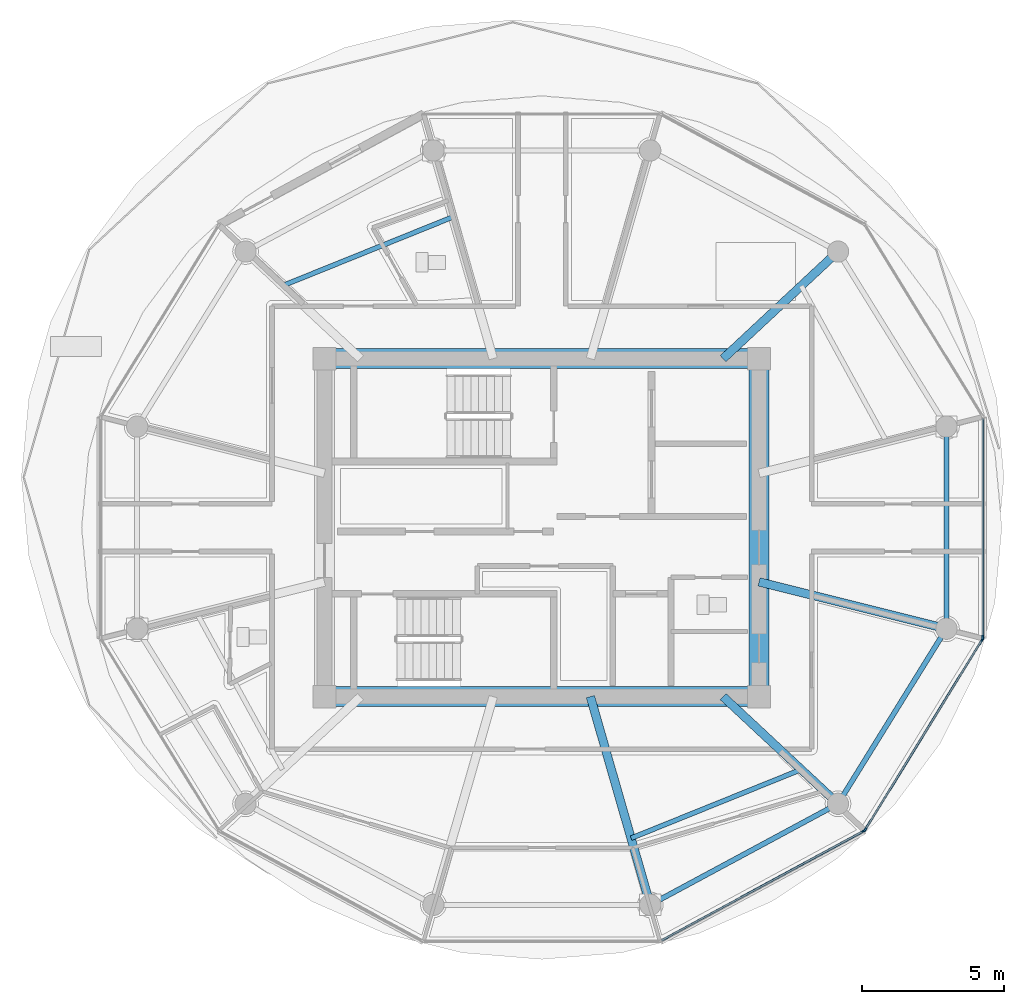
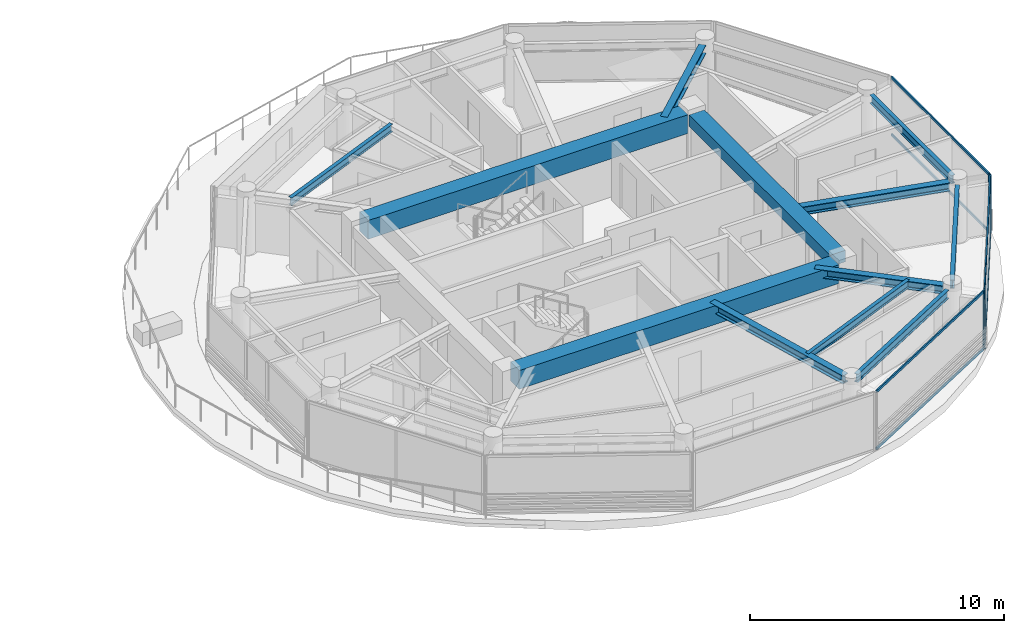
# One storey, part 6 of 28: 12 beams, 10 members, 3 elements without a shape of their own.
"""IFC4 building model written with IfcOpenShell, lengths in metres."""

from ifc_helpers import new_model, si_unit, direction, frame, origin, origin_2d, place, context, subcontext, project, spatial, rectangle, i_section, extrude, source, transform, mapped, material, layer, layer_set, material_profile, profile_set, type_object, type_shapes, element, aggregate, save


model = new_model("IFC4")

# Units and contexts
model_context = context("Model", 3, precision=1e-05, world=origin(), true_north=direction((0.0, 1.0)))
body_context = subcontext(model_context, "Body", "Model", "MODEL_VIEW")
ifc_project = project(units=[si_unit("LENGTHUNIT", "METRE"), si_unit("AREAUNIT", "SQUARE_METRE"), si_unit("VOLUMEUNIT", "CUBIC_METRE"), si_unit("PLANEANGLEUNIT", "RADIAN"), si_unit("MASSUNIT", "GRAM", prefix="KILO")], contexts=[model_context])

# Site, building, storey
site_placement = place(None, origin())
site = spatial("IfcSite", under=ifc_project, at=site_placement, CompositionType="ELEMENT")
building_placement = place(site_placement, origin())
building = spatial("IfcBuilding", under=site, at=building_placement, Name="Norrkilde Senior Care Towers", CompositionType="ELEMENT")
storey_placement = place(building_placement, frame((0.0, 0.0, 190.64990234375)))
storey = spatial("IfcBuildingStorey", under=building, at=storey_placement, Name="L59", CompositionType="ELEMENT", Elevation=190.64990234375)

# Beams
ifc_material_1 = material(Name="Concrete C60/75", Category="concrete")
ifc_material_profile_1 = material_profile(ifc_material_1, rectangle(XDim=0.699951171875, YDim=0.89990234375, at=origin_2d()), Name="RC BM 700x900")
ifc_profile_set_1 = profile_set([ifc_material_profile_1], Name="Concrete C60/75")
beam_type_1 = type_object("IfcBeamType", Name="Core Coupling Girder 700x900", PredefinedType="USERDEFINED", material=ifc_profile_set_1)
shared_shape_1 = source(origin(), body_context, "Body", "SweptSolid", [
    extrude(rectangle(XDim=0.699951171875, YDim=0.89990234375, at=origin_2d()), origin(), (0.0, 0.0, 1.0), 14.5400390625),
])
type_shapes(beam_type_1, [shared_shape_1])
for number, where, z_axis, x_axis, name in (
    (1, (20.72998046875, 5.949951171875, 2.360107421875), (1.0, 0.0, 0.0), (0.0, 1.0, 0.0), "L59 Core E N Coupling Girder"),
    (2, (20.72998046875, -5.949951171875, 2.360107421875), (1.0, 0.0, 0.0), (0.0, 1.0, 0.0), "L59 Core E S Coupling Girder"),
):
    element("IfcBeam", number, at=place(storey_placement, frame(where, z_axis=z_axis, x_axis=x_axis)), inside=storey, type_object=beam_type_1, Name=name, ObjectType="GIRDER", PredefinedType="USERDEFINED", context=body_context, shape_type="MappedRepresentation", body=[
        mapped(shared_shape_1, transform((0.0, 0.0, 0.0), x_axis=(1.0, 0.0, 0.0), y_axis=(0.0, 1.0, 0.0), z_axis=(0.0, 0.0, 1.0), scale=1.0)),
    ])
ifc_material_profile_2 = material_profile(ifc_material_1, rectangle(XDim=0.699951171875, YDim=0.550048828125, at=origin_2d()), Name="RC BM 700x550")
ifc_profile_set_2 = profile_set([ifc_material_profile_2], Name="Concrete C60/75")
beam_type_2 = type_object("IfcBeamType", Name="Core Portal Coupling Beam 700x550", PredefinedType="USERDEFINED", material=ifc_profile_set_2)
shared_shape_2 = source(origin(), body_context, "Body", "SweptSolid", [
    extrude(rectangle(XDim=0.699951171875, YDim=0.550048828125, at=origin_2d()), origin(), (0.0, 0.0, 1.0), 11.14013671875),
])
type_shapes(beam_type_2, [shared_shape_2])
beam_1_placement = place(storey_placement, frame((35.64990234375, -5.570068359375, 2.53515625), z_axis=(0.0, 1.0, 0.0), x_axis=(-1.0, 0.0, 0.0)))
element("IfcBeam", 3, at=beam_1_placement, inside=storey, type_object=beam_type_2, Name="L59 Core E E Coupling Girder", ObjectType="GIRDER", PredefinedType="USERDEFINED", context=body_context, shape_type="MappedRepresentation", body=[
    mapped(shared_shape_2, transform((0.0, 0.0, 0.0), x_axis=(1.0, 0.0, 0.0), y_axis=(0.0, 1.0, 0.0), z_axis=(0.0, 0.0, 1.0), scale=1.0)),
])
ifc_material_2 = material(Name="Steel S355", Category="steel")
ifc_material_profile_3 = material_profile(ifc_material_2, i_section(OverallWidth=0.179931640625, OverallDepth=0.39990234375, WebThickness=0.008544921875, FlangeThickness=0.013427734375, FilletRadius=0.02099609375, at=origin_2d()), Name="IPE 400")
ifc_profile_set_3 = profile_set([ifc_material_profile_3], Name="Steel S355")
beam_type_3 = type_object("IfcBeamType", Name="Perimeter Ring Spandrel Z4 IPE400", PredefinedType="SPANDREL", material=ifc_profile_set_3)
shared_shape_3 = source(origin(), body_context, "Body", "SweptSolid", [
    extrude(i_section(OverallWidth=0.179931640625, OverallDepth=0.39990234375, WebThickness=0.008544921875, FlangeThickness=0.013427734375, FilletRadius=0.02099609375, at=origin_2d()), origin(), (0.0, 0.0, 1.0), 6.58056640625),
])
beam_2_placement = place(storey_placement, frame((38.606201171875, -9.43798828125, 2.610107421875), z_axis=(0.526529583789, 0.850156807533, 0.0), x_axis=(-0.850156807533, 0.526529583789, 0.0)))
element("IfcBeam", 4, at=beam_2_placement, inside=storey, type_object=beam_type_3, Name="L59 Drum E Perimeter Spandrel 11", PredefinedType="SPANDREL", context=body_context, shape_type="MappedRepresentation", body=[
    mapped(shared_shape_3, transform((0.0, 0.0, 0.0), x_axis=(1.0, 0.0, 0.0), y_axis=(0.0, 1.0, 0.0), z_axis=(0.0, 0.0, 1.0), scale=1.0)),
])
ifc_material_profile_4 = material_profile(ifc_material_2, i_section(OverallWidth=0.300048828125, OverallDepth=0.39990234375, WebThickness=0.013427734375, FlangeThickness=0.02392578125, FilletRadius=0.027099609375, at=origin_2d()), Name="HEB 400")
ifc_profile_set_4 = profile_set([ifc_material_profile_4], Name="Steel S355")
beam_type_4 = type_object("IfcBeamType", Name="Radial Floor Beam Z4 HEB400", PredefinedType="BEAM", material=ifc_profile_set_4)
shared_shape_4 = source(origin(), body_context, "Body", "SweptSolid", [
    extrude(i_section(OverallWidth=0.300048828125, OverallDepth=0.39990234375, WebThickness=0.013427734375, FlangeThickness=0.02392578125, FilletRadius=0.027099609375, at=origin_2d()), origin(), (0.0, 0.0, 1.0), 6.465087890625),
])
beam_3_placement = place(storey_placement, frame((35.64990234375, -1.910888671875, 2.610107421875), z_axis=(0.970195788563, -0.242322371758, 0.0), x_axis=(0.242322371758, 0.970195788563, 0.0)))
element("IfcBeam", 5, at=beam_3_placement, inside=storey, type_object=beam_type_4, Name="L59 Drum E Radial Floor Beam 12", PredefinedType="BEAM", context=body_context, shape_type="MappedRepresentation", body=[
    mapped(shared_shape_4, transform((0.0, 0.0, 0.0), x_axis=(1.0, 0.0, 0.0), y_axis=(0.0, 1.0, 0.0), z_axis=(0.0, 0.0, 1.0), scale=1.0)),
])
shared_shape_5 = source(origin(), body_context, "Body", "SweptSolid", [
    extrude(i_section(OverallWidth=0.179931640625, OverallDepth=0.39990234375, WebThickness=0.008544921875, FlangeThickness=0.013427734375, FilletRadius=0.02099609375, at=origin_2d()), origin(), (0.0, 0.0, 1.0), 6.839111328125),
])
beam_4_placement = place(storey_placement, frame((32.112548828125, -13.122802734375, 2.610107421875), z_axis=(0.880563930732, 0.473927382511, 0.0), x_axis=(-0.473927382511, 0.880563930732, 0.0)))
element("IfcBeam", 6, at=beam_4_placement, inside=storey, type_object=beam_type_3, Name="L59 Drum E Perimeter Spandrel 10", PredefinedType="SPANDREL", context=body_context, shape_type="MappedRepresentation", body=[
    mapped(shared_shape_5, transform((0.0, 0.0, 0.0), x_axis=(1.0, 0.0, 0.0), y_axis=(0.0, 1.0, 0.0), z_axis=(0.0, 0.0, 1.0), scale=1.0)),
])
shared_shape_6 = source(origin(), body_context, "Body", "SweptSolid", [
    extrude(i_section(OverallWidth=0.300048828125, OverallDepth=0.39990234375, WebThickness=0.013427734375, FlangeThickness=0.02392578125, FilletRadius=0.027099609375, at=origin_2d()), origin(), (0.0, 0.0, 1.0), 5.197998046875),
])
for number, where, z_axis, x_axis, name in (
    (7, (34.3828125, 5.949951171875, 2.610107421875), (0.731448749334, 0.681896419625, 0.0), (-0.681896419625, 0.731448749334, 0.0), "L59 Drum E Radial Floor Beam 02"),
    (8, (34.3828125, -5.949951171875, 2.610107421875), (0.731448749334, -0.681896419625, 0.0), (0.681896419625, 0.731448749334, 0.0), "L59 Drum E Radial Floor Beam 11"),
):
    element("IfcBeam", number, at=place(storey_placement, frame(where, z_axis=z_axis, x_axis=x_axis)), inside=storey, type_object=beam_type_4, Name=name, PredefinedType="BEAM", context=body_context, shape_type="MappedRepresentation", body=[
        mapped(shared_shape_6, transform((0.0, 0.0, 0.0), x_axis=(1.0, 0.0, 0.0), y_axis=(0.0, 1.0, 0.0), z_axis=(0.0, 0.0, 1.0), scale=1.0)),
    ])
shared_shape_7 = source(origin(), body_context, "Body", "SweptSolid", [
    extrude(i_section(OverallWidth=0.300048828125, OverallDepth=0.39990234375, WebThickness=0.013427734375, FlangeThickness=0.02392578125, FilletRadius=0.027099609375, at=origin_2d()), origin(), (0.0, 0.0, 1.0), 7.29345703125),
])
type_shapes(beam_type_4, [shared_shape_4, shared_shape_6, shared_shape_7])
beam_5_placement = place(storey_placement, frame((29.710205078125, -5.949951171875, 2.610107421875), z_axis=(0.276263751906, -0.961081858836, 0.0), x_axis=(0.961081858836, 0.276263751906, 0.0)))
element("IfcBeam", 9, at=beam_5_placement, inside=storey, type_object=beam_type_4, Name="L59 Drum E Radial Floor Beam 10", PredefinedType="BEAM", context=body_context, shape_type="MappedRepresentation", body=[
    mapped(shared_shape_7, transform((0.0, 0.0, 0.0), x_axis=(1.0, 0.0, 0.0), y_axis=(0.0, 1.0, 0.0), z_axis=(0.0, 0.0, 1.0), scale=1.0)),
])
shared_shape_8 = source(origin(), body_context, "Body", "SweptSolid", [
    extrude(i_section(OverallWidth=0.179931640625, OverallDepth=0.39990234375, WebThickness=0.008544921875, FlangeThickness=0.013427734375, FilletRadius=0.02099609375, at=origin_2d()), origin(), (0.0, 0.0, 1.0), 6.44775390625),
])
type_shapes(beam_type_3, [shared_shape_3, shared_shape_5, shared_shape_8])
beam_6_placement = place(storey_placement, frame((42.247314453125, -3.223876953125, 2.610107421875), z_axis=(0.0, 1.0, 0.0), x_axis=(-1.0, 0.0, 0.0)))
element("IfcBeam", 10, at=beam_6_placement, inside=storey, type_object=beam_type_3, Name="L59 Drum E Perimeter Spandrel 12", PredefinedType="SPANDREL", context=body_context, shape_type="MappedRepresentation", body=[
    mapped(shared_shape_8, transform((0.0, 0.0, 0.0), x_axis=(1.0, 0.0, 0.0), y_axis=(0.0, 1.0, 0.0), z_axis=(0.0, 0.0, 1.0), scale=1.0)),
])
ifc_material_profile_5 = material_profile(ifc_material_2, i_section(OverallWidth=0.169921875, OverallDepth=0.360107421875, WebThickness=0.008056640625, FlangeThickness=0.0126953125, FilletRadius=0.01806640625, at=origin_2d()), Name="IPE 360")
ifc_profile_set_5 = profile_set([ifc_material_profile_5], Name="Steel S355")
beam_type_5 = type_object("IfcBeamType", Name="Secondary Floor Joist IPE360", PredefinedType="JOIST", material=ifc_profile_set_5)
shared_shape_9 = source(origin(), body_context, "Body", "SweptSolid", [
    extrude(i_section(OverallWidth=0.169921875, OverallDepth=0.360107421875, WebThickness=0.008056640625, FlangeThickness=0.0126953125, FilletRadius=0.01806640625, at=origin_2d()), origin(), (0.0, 0.0, 1.0), 6.461669921875),
])
type_shapes(beam_type_5, [shared_shape_9])
for number, where, z_axis, x_axis, name in (
    (11, (24.856689453125, 10.935302734375, 2.630126953125), (-0.927225942298, -0.374502405772, 0.0), (0.374502405772, -0.927225942298, 0.0), "L59 Drum E Secondary Floor Joist 2"),
    (12, (31.143310546875, -10.935302734375, 2.630126953125), (0.927225942298, 0.374502405772, 0.0), (-0.374502405772, 0.927225942298, 0.0), "L59 Drum E Secondary Floor Joist 4"),
):
    element("IfcBeam", number, at=place(storey_placement, frame(where, z_axis=z_axis, x_axis=x_axis)), inside=storey, type_object=beam_type_5, Name=name, PredefinedType="JOIST", context=body_context, shape_type="MappedRepresentation", body=[
        mapped(shared_shape_9, transform((0.0, 0.0, 0.0), x_axis=(1.0, 0.0, 0.0), y_axis=(0.0, 1.0, 0.0), z_axis=(0.0, 0.0, 1.0), scale=1.0)),
    ])

# Curtain wall, member
ifc_material_3 = material(Name="Triple Low-E Insulated Glazing", Category="glass")
ifc_layer = layer(ifc_material_3, 0.18505859375)
ifc_layer_set = layer_set([ifc_layer], Name="Triple Low-E Insulated Glazing")
curtain_wall_type = type_object("IfcCurtainWallType", Name="CW6 Zone 4 Crown Pavilion Curtain Wall", PredefinedType="NOTDEFINED", material=ifc_layer_set)
curtain_wall_1_placement = place(storey_placement, origin())
curtain_wall_1 = element("IfcCurtainWall", 13, at=curtain_wall_1_placement, inside=storey, type_object=curtain_wall_type, Name="L59 Drum E Curtain Wall 09", PredefinedType="NOTDEFINED")
ifc_material_4 = material(Name="Anodised Aluminium", Category="aluminium")
ifc_material_profile_6 = material_profile(ifc_material_4, rectangle(XDim=0.06494140625, YDim=0.14990234375, at=origin_2d()), Name="ALU MULL 65x150")
ifc_profile_set_6 = profile_set([ifc_material_profile_6], Name="Anodised Aluminium")
member_type_1 = type_object("IfcMemberType", Name="Curtain Wall Mullion Z3-Z4 65x150", PredefinedType="MULLION", material=ifc_profile_set_6)
shared_shape_10 = source(origin(), body_context, "Body", "SweptSolid", [
    extrude(rectangle(XDim=0.06494140625, YDim=0.14990234375, at=origin_2d()), origin(), (0.0, 0.0, 1.0), 2.81005859375),
])
type_shapes(member_type_1, [shared_shape_10])
member_1_placement = place(storey_placement, frame((39.341796875, -10.6787109375, 0.0), z_axis=(0.0, 0.0, 1.0), x_axis=(0.476132676136, -0.879373455772, 0.0)))
member_1 = element("IfcMember", 14, at=member_1_placement, type_object=member_type_1, Name="CW-6 mullion 1", PredefinedType="MULLION", context=body_context, shape_type="MappedRepresentation", body=[
    mapped(shared_shape_10, transform((0.0, 0.0, 0.0), x_axis=(1.0, 0.0, 0.0), y_axis=(0.0, 1.0, 0.0), z_axis=(0.0, 0.0, 1.0), scale=1.0)),
])

# Curtain wall, members
curtain_wall_2_placement = place(storey_placement, origin())
curtain_wall_2 = element("IfcCurtainWall", 15, at=curtain_wall_2_placement, inside=storey, type_object=curtain_wall_type, Name="L59 Drum E Curtain Wall 10", PredefinedType="NOTDEFINED")
member_2_placement = place(storey_placement, frame((43.51513671875, -3.9306640625, 0.0), z_axis=(0.0, 0.0, 1.0), x_axis=(0.851562727283, -0.524252726748, 0.0)))
member_2 = element("IfcMember", 16, at=member_2_placement, type_object=member_type_1, Name="CW-6 mullion 1", PredefinedType="MULLION", context=body_context, shape_type="MappedRepresentation", body=[
    mapped(shared_shape_10, transform((0.0, 0.0, 0.0), x_axis=(1.0, 0.0, 0.0), y_axis=(0.0, 1.0, 0.0), z_axis=(0.0, 0.0, 1.0), scale=1.0)),
])
member_3_placement = place(storey_placement, frame((39.38720703125, -10.635498046875, 0.0), z_axis=(0.0, 0.0, 1.0), x_axis=(0.851562727283, -0.524252726748, 0.0)))
member_3 = element("IfcMember", 17, at=member_3_placement, type_object=member_type_1, Name="CW-6 mullion 2", PredefinedType="MULLION", context=body_context, shape_type="MappedRepresentation", body=[
    mapped(shared_shape_10, transform((0.0, 0.0, 0.0), x_axis=(1.0, 0.0, 0.0), y_axis=(0.0, 1.0, 0.0), z_axis=(0.0, 0.0, 1.0), scale=1.0)),
])

# Curtain wall, member
curtain_wall_3_placement = place(storey_placement, origin())
curtain_wall_3 = element("IfcCurtainWall", 18, at=curtain_wall_3_placement, inside=storey, type_object=curtain_wall_type, Name="L59 Drum E Curtain Wall 11", PredefinedType="NOTDEFINED")
member_4_placement = place(storey_placement, frame((43.531982421875, -3.87060546875, 0.0), z_axis=(0.0, 0.0, 1.0), x_axis=(1.0, 0.0, 0.0)))
member_4 = element("IfcMember", 19, at=member_4_placement, type_object=member_type_1, Name="CW-6 mullion 2", PredefinedType="MULLION", context=body_context, shape_type="MappedRepresentation", body=[
    mapped(shared_shape_10, transform((0.0, 0.0, 0.0), x_axis=(1.0, 0.0, 0.0), y_axis=(0.0, 1.0, 0.0), z_axis=(0.0, 0.0, 1.0), scale=1.0)),
])

# Member
ifc_material_profile_7 = material_profile(ifc_material_4, rectangle(XDim=0.06005859375, YDim=0.1201171875, at=origin_2d()), Name="ALU TRAN 60x120")
ifc_profile_set_7 = profile_set([ifc_material_profile_7], Name="Anodised Aluminium")
member_type_2 = type_object("IfcMemberType", Name="Curtain Wall Transom Typical 60x120", PredefinedType="USERDEFINED", material=ifc_profile_set_7)
shared_shape_11 = source(origin(), body_context, "Body", "SweptSolid", [
    extrude(rectangle(XDim=0.06005859375, YDim=0.1201171875, at=origin_2d()), origin(), (0.0, 0.0, 1.0), 7.808837890625),
])
member_5_placement = place(storey_placement, frame((43.498046875, -3.958251953125, 0.030029296875), z_axis=(-0.524250924101, -0.851563837055, 0.0), x_axis=(0.851563837055, -0.524250924101, 0.0)))
member_5 = element("IfcMember", 20, at=member_5_placement, type_object=member_type_2, Name="CW-6 transom 1.1", ObjectType="TRANSOM", PredefinedType="USERDEFINED", context=body_context, shape_type="MappedRepresentation", body=[
    mapped(shared_shape_11, transform((0.0, 0.0, 0.0), x_axis=(1.0, 0.0, 0.0), y_axis=(0.0, 1.0, 0.0), z_axis=(0.0, 0.0, 1.0), scale=1.0)),
])

member_6_placement = place(storey_placement, frame((43.498046875, -3.958251953125, 2.780029296875), z_axis=(-0.524250924101, -0.851563837055, 0.0), x_axis=(0.851563837055, -0.524250924101, 0.0)))
member_6 = element("IfcMember", 21, at=member_6_placement, type_object=member_type_2, Name="CW-6 transom 1.2", ObjectType="TRANSOM", PredefinedType="USERDEFINED", context=body_context, shape_type="MappedRepresentation", body=[
    mapped(shared_shape_11, transform((0.0, 0.0, 0.0), x_axis=(1.0, 0.0, 0.0), y_axis=(0.0, 1.0, 0.0), z_axis=(0.0, 0.0, 1.0), scale=1.0)),
])

aggregate(curtain_wall_2, [member_2, member_3, member_5, member_6])

shared_shape_12 = source(origin(), body_context, "Body", "SweptSolid", [
    extrude(rectangle(XDim=0.06005859375, YDim=0.1201171875, at=origin_2d()), origin(), (0.0, 0.0, 1.0), 8.0673828125),
])
member_7_placement = place(storey_placement, frame((39.313232421875, -10.694091796875, 0.030029296875), z_axis=(-0.87937750072, -0.476125205411, 0.0), x_axis=(0.476125205411, -0.87937750072, 0.0)))
member_7 = element("IfcMember", 22, at=member_7_placement, type_object=member_type_2, Name="CW-6 transom 1.1", ObjectType="TRANSOM", PredefinedType="USERDEFINED", context=body_context, shape_type="MappedRepresentation", body=[
    mapped(shared_shape_12, transform((0.0, 0.0, 0.0), x_axis=(1.0, 0.0, 0.0), y_axis=(0.0, 1.0, 0.0), z_axis=(0.0, 0.0, 1.0), scale=1.0)),
])

member_8_placement = place(storey_placement, frame((39.313232421875, -10.694091796875, 2.780029296875), z_axis=(-0.87937750072, -0.476125205411, 0.0), x_axis=(0.476125205411, -0.87937750072, 0.0)))
member_8 = element("IfcMember", 23, at=member_8_placement, type_object=member_type_2, Name="CW-6 transom 1.2", ObjectType="TRANSOM", PredefinedType="USERDEFINED", context=body_context, shape_type="MappedRepresentation", body=[
    mapped(shared_shape_12, transform((0.0, 0.0, 0.0), x_axis=(1.0, 0.0, 0.0), y_axis=(0.0, 1.0, 0.0), z_axis=(0.0, 0.0, 1.0), scale=1.0)),
])

aggregate(curtain_wall_1, [member_1, member_7, member_8])

shared_shape_13 = source(origin(), body_context, "Body", "SweptSolid", [
    extrude(rectangle(XDim=0.06005859375, YDim=0.1201171875, at=origin_2d()), origin(), (0.0, 0.0, 1.0), 7.67578125),
])
type_shapes(member_type_2, [shared_shape_11, shared_shape_12, shared_shape_13])
member_9_placement = place(storey_placement, frame((43.531982421875, 3.837890625, 0.030029296875), z_axis=(0.0, -1.0, 0.0), x_axis=(1.0, 0.0, 0.0)))
member_9 = element("IfcMember", 24, at=member_9_placement, type_object=member_type_2, Name="CW-6 transom 1.1", ObjectType="TRANSOM", PredefinedType="USERDEFINED", context=body_context, shape_type="MappedRepresentation", body=[
    mapped(shared_shape_13, transform((0.0, 0.0, 0.0), x_axis=(1.0, 0.0, 0.0), y_axis=(0.0, 1.0, 0.0), z_axis=(0.0, 0.0, 1.0), scale=1.0)),
])

member_10_placement = place(storey_placement, frame((43.531982421875, 3.837890625, 2.780029296875), z_axis=(0.0, -1.0, 0.0), x_axis=(1.0, 0.0, 0.0)))
member_10 = element("IfcMember", 25, at=member_10_placement, type_object=member_type_2, Name="CW-6 transom 1.2", ObjectType="TRANSOM", PredefinedType="USERDEFINED", context=body_context, shape_type="MappedRepresentation", body=[
    mapped(shared_shape_13, transform((0.0, 0.0, 0.0), x_axis=(1.0, 0.0, 0.0), y_axis=(0.0, 1.0, 0.0), z_axis=(0.0, 0.0, 1.0), scale=1.0)),
])

aggregate(curtain_wall_3, [member_4, member_9, member_10])

save(model, "model.ifc")
